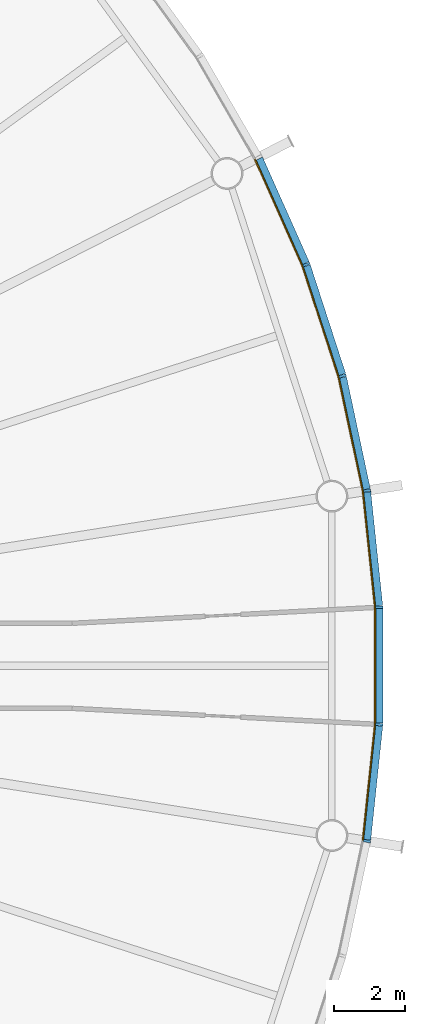
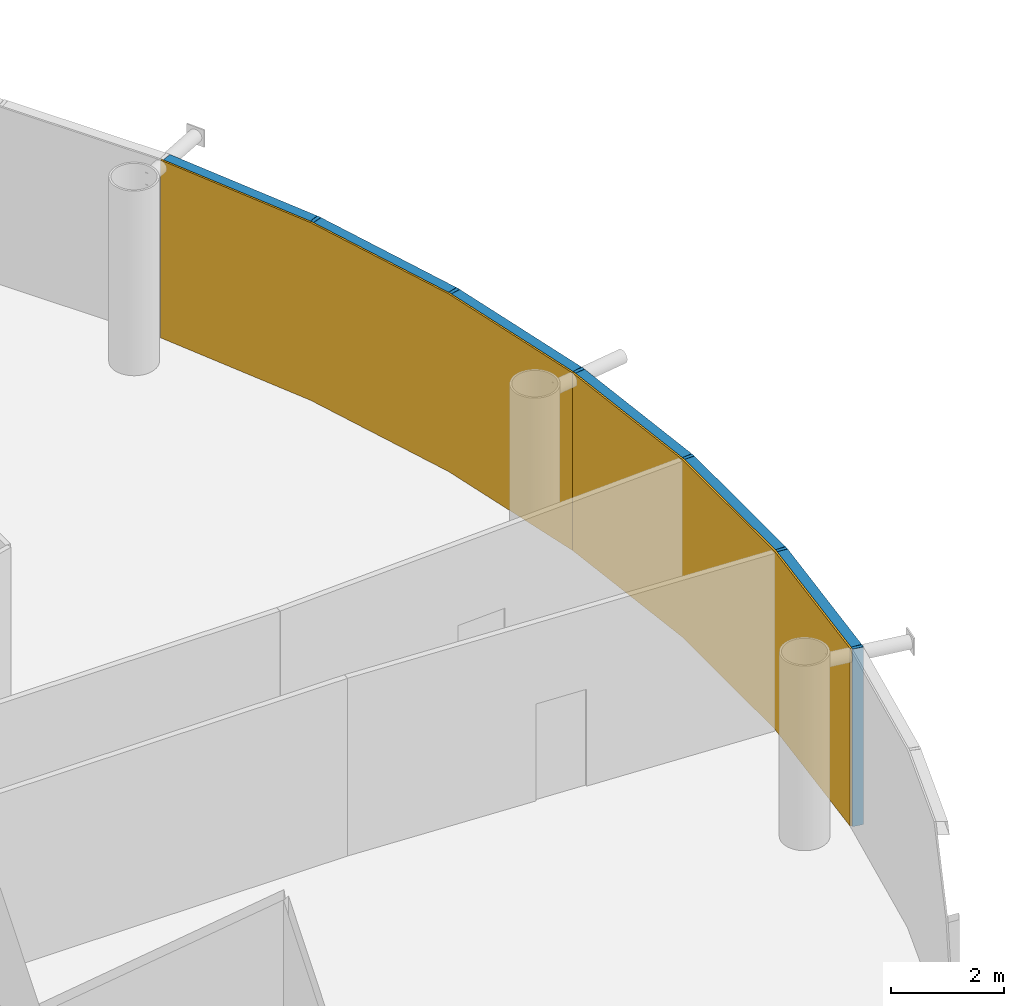
# One storey, part 16 of 18: 12 members, 2 curtain walls.
"""IFC4 building model written with IfcOpenShell, lengths in metres."""

from ifc_helpers import new_model, si_unit, direction, frame, origin, origin_2d, place, context, subcontext, project, spatial, polyline, rectangle, outline, extrude, material, layer, layer_set, material_profile, profile_set, type_object, element, aggregate, save


model = new_model("IFC4")

# Units and contexts
model_context = context("Model", 3, precision=1e-05, world=origin(), true_north=direction((0.0, 1.0)))
body_context = subcontext(model_context, "Body", "Model", "MODEL_VIEW")
ifc_project = project(units=[si_unit("LENGTHUNIT", "METRE"), si_unit("AREAUNIT", "SQUARE_METRE"), si_unit("VOLUMEUNIT", "CUBIC_METRE"), si_unit("PLANEANGLEUNIT", "RADIAN"), si_unit("MASSUNIT", "GRAM", prefix="KILO")], contexts=[model_context])

# Member
ifc_material_1 = material(Name="Anodised aluminium", Category="aluminium")
ifc_material_profile_1 = material_profile(ifc_material_1, rectangle(XDim=0.070068359375, YDim=0.205078125, at=origin_2d()), Name="Mullion 70 x 205 mm anodised aluminium")
ifc_profile_set_1 = profile_set([ifc_material_profile_1], Name="Anodised aluminium")
member_type_1 = type_object("IfcMemberType", Name="Mullion 70 x 205 mm anodised aluminium", PredefinedType="MULLION", material=ifc_profile_set_1)
site_placement = place(None, origin())
building_placement = place(site_placement, origin())
storey_placement = place(building_placement, frame((0.0, 0.0, 352.0)))
member_1_placement = place(storey_placement, frame((121.21337890625, 84.943603515625, 0.0), z_axis=(0.0, 0.0, 1.0), x_axis=(-0.15643446504, 0.987688340595, 0.0)))
member_1 = element("IfcMember", 1, at=member_1_placement, type_object=member_type_1, Name="MULLION L81-00", PredefinedType="MULLION", context=body_context, shape_type="SweptSolid", body=[
    extrude(rectangle(XDim=0.070068359375, YDim=0.205078125, at=origin_2d()), origin(), (0.0, 0.0, 1.0), 3.85009765625),
])

member_2_placement = place(storey_placement, frame((120.525634765625, 88.179443359375, 0.0), z_axis=(0.0, 0.0, 1.0), x_axis=(-0.258819045103, 0.965925826289, 0.0)))
member_2 = element("IfcMember", 2, at=member_2_placement, type_object=member_type_1, Name="MULLION L81-01", PredefinedType="MULLION", context=body_context, shape_type="SweptSolid", body=[
    extrude(rectangle(XDim=0.070068359375, YDim=0.205078125, at=origin_2d()), origin(), (0.0, 0.0, 1.0), 3.85009765625),
])

member_3_placement = place(storey_placement, frame((119.50341796875, 91.325439453125, 0.0), z_axis=(0.0, 0.0, 1.0), x_axis=(-0.358367949545, 0.933580426497, 0.0)))
member_3 = element("IfcMember", 3, at=member_3_placement, type_object=member_type_1, Name="MULLION L81-02", PredefinedType="MULLION", context=body_context, shape_type="SweptSolid", body=[
    extrude(rectangle(XDim=0.070068359375, YDim=0.205078125, at=origin_2d()), origin(), (0.0, 0.0, 1.0), 3.85009765625),
])

member_4_placement = place(storey_placement, frame((121.21337890625, 75.056396484375, 0.0), z_axis=(0.0, 0.0, 1.0), x_axis=(0.15643446504, 0.987688340595, 0.0)))
member_4 = element("IfcMember", 4, at=member_4_placement, type_object=member_type_1, Name="MULLION L81-57", PredefinedType="MULLION", context=body_context, shape_type="SweptSolid", body=[
    extrude(rectangle(XDim=0.070068359375, YDim=0.205078125, at=origin_2d()), origin(), (0.0, 0.0, 1.0), 3.85009765625),
])

member_5_placement = place(storey_placement, frame((121.55908203125, 78.345947265625, 0.0), z_axis=(0.0, 0.0, 1.0), x_axis=(0.052335956243, 0.998629534755, 0.0)))
member_5 = element("IfcMember", 5, at=member_5_placement, type_object=member_type_1, Name="MULLION L81-58", PredefinedType="MULLION", context=body_context, shape_type="SweptSolid", body=[
    extrude(rectangle(XDim=0.070068359375, YDim=0.205078125, at=origin_2d()), origin(), (0.0, 0.0, 1.0), 3.85009765625),
])

member_6_placement = place(storey_placement, frame((121.55908203125, 81.654052734375, 0.0), z_axis=(0.0, 0.0, 1.0), x_axis=(-0.052335956243, 0.998629534755, 0.0)))
member_6 = element("IfcMember", 6, at=member_6_placement, type_object=member_type_1, Name="MULLION L81-59", PredefinedType="MULLION", context=body_context, shape_type="SweptSolid", body=[
    extrude(rectangle(XDim=0.070068359375, YDim=0.205078125, at=origin_2d()), origin(), (0.0, 0.0, 1.0), 3.85009765625),
])

ifc_material_2 = material(Name="Anodised aluminium", Category="aluminium")
ifc_material_profile_2 = material_profile(ifc_material_2, rectangle(XDim=0.205078125, YDim=0.195068359375, at=origin_2d()), Name="Transom 195 x 205 mm anodised aluminium")
ifc_profile_set_2 = profile_set([ifc_material_profile_2], Name="Anodised aluminium")
member_type_2 = type_object("IfcMemberType", Name="Transom 195 x 205 mm anodised aluminium", PredefinedType="USERDEFINED", material=ifc_profile_set_2)
member_7_placement = place(storey_placement, frame((121.205078125, 84.983154296875, 3.75244140625), z_axis=(-0.207885898771, 0.978153082647, 0.0), x_axis=(-0.978153082647, -0.207885898771, 0.0)))
member_7 = element("IfcMember", 7, at=member_7_placement, type_object=member_type_2, Name="TRANSOM L81-00", ObjectType="TRANSOM", PredefinedType="USERDEFINED", context=body_context, shape_type="SweptSolid", body=[
    extrude(rectangle(XDim=0.205078125, YDim=0.195068359375, at=origin_2d()), origin(), (0.0, 0.0, 1.0), 3.227294921875),
])

member_8_placement = place(storey_placement, frame((120.513427734375, 88.2177734375, 3.75244140625), z_axis=(-0.309046726844, 0.951046855117, 0.0), x_axis=(-0.951046855117, -0.309046726844, 0.0)))
member_8 = element("IfcMember", 8, at=member_8_placement, type_object=member_type_2, Name="TRANSOM L81-01", ObjectType="TRANSOM", PredefinedType="USERDEFINED", context=body_context, shape_type="SweptSolid", body=[
    extrude(rectangle(XDim=0.205078125, YDim=0.195068359375, at=origin_2d()), origin(), (0.0, 0.0, 1.0), 3.22705078125),
])

member_9_placement = place(storey_placement, frame((119.4873046875, 91.3623046875, 3.75244140625), z_axis=(-0.406791170024, 0.913521178731, 0.0), x_axis=(-0.913521178731, -0.406791170024, 0.0)))
member_9 = element("IfcMember", 9, at=member_9_placement, type_object=member_type_2, Name="TRANSOM L81-02", ObjectType="TRANSOM", PredefinedType="USERDEFINED", context=body_context, shape_type="SweptSolid", body=[
    extrude(rectangle(XDim=0.205078125, YDim=0.195068359375, at=origin_2d()), origin(), (0.0, 0.0, 1.0), 3.22705078125),
])

member_10_placement = place(storey_placement, frame((121.2177734375, 75.096435546875, 3.75244140625), z_axis=(0.104550890115, 0.994519537956, 0.0), x_axis=(-0.994519537956, 0.104550890115, 0.0)))
member_10 = element("IfcMember", 10, at=member_10_placement, type_object=member_type_2, Name="TRANSOM L81-57", ObjectType="TRANSOM", PredefinedType="USERDEFINED", context=body_context, shape_type="SweptSolid", body=[
    extrude(rectangle(XDim=0.205078125, YDim=0.195068359375, at=origin_2d()), origin(), (0.0, 0.0, 1.0), 3.22705078125),
])

member_11_placement = place(storey_placement, frame((121.559326171875, 78.386474609375, 3.75244140625), z_axis=(0.0, 1.0, 0.0), x_axis=(-1.0, 0.0, 0.0)))
member_11 = element("IfcMember", 11, at=member_11_placement, type_object=member_type_2, Name="TRANSOM L81-58", ObjectType="TRANSOM", PredefinedType="USERDEFINED", context=body_context, shape_type="SweptSolid", body=[
    extrude(rectangle(XDim=0.205078125, YDim=0.195068359375, at=origin_2d()), origin(), (0.0, 0.0, 1.0), 3.22705078125),
])

member_12_placement = place(storey_placement, frame((121.55517578125, 81.694091796875, 3.75244140625), z_axis=(-0.104550890115, 0.994519537956, 0.0), x_axis=(-0.994519537956, -0.104550890115, 0.0)))
member_12 = element("IfcMember", 12, at=member_12_placement, type_object=member_type_2, Name="TRANSOM L81-59", ObjectType="TRANSOM", PredefinedType="USERDEFINED", context=body_context, shape_type="SweptSolid", body=[
    extrude(rectangle(XDim=0.205078125, YDim=0.195068359375, at=origin_2d()), origin(), (0.0, 0.0, 1.0), 3.22705078125),
])

# Site, building, storey
site = spatial("IfcSite", under=ifc_project, at=site_placement, CompositionType="ELEMENT")
building = spatial("IfcBuilding", under=site, at=building_placement, Name="Entoto Ring Tower", CompositionType="ELEMENT")
storey = spatial("IfcBuildingStorey", under=building, at=storey_placement, Name="L81", CompositionType="ELEMENT", Elevation=352.0)

# Curtain wall
ifc_material_3 = material(Name="Clear low-iron glass", Category="glass")
ifc_layer = layer(ifc_material_3, 0.035888671875)
ifc_layer_set = layer_set([ifc_layer], Name="Clear low-iron glass")
curtain_wall_type = type_object("IfcCurtainWallType", Name="Curtain wall system CW6 glazing 36 mm", PredefinedType="NOTDEFINED", material=ifc_layer_set)
curtain_wall_1_placement = place(storey_placement, origin())
curtain_wall_1 = element("IfcCurtainWall", 13, at=curtain_wall_1_placement, inside=storey, type_object=curtain_wall_type, Name="CW6 L81-01", PredefinedType="NOTDEFINED", context=body_context, shape_type="SweptSolid", body=[
    extrude(outline(polyline([(121.1123046875, 84.927734375), (120.4267578125, 88.15283203125), (119.40771484375, 91.28857421875), (118.066650390625, 94.30078125), (118.03466796875, 94.284423828125), (119.3740234375, 91.275634765625), (120.391845703125, 88.1435546875), (121.07666015625, 84.922119140625), (121.1123046875, 84.927734375)])), origin(), (0.0, 0.0, 1.0), 3.85009765625),
])

aggregate(curtain_wall_1, [member_1, member_2, member_3, member_7, member_8, member_9])

curtain_wall_2_placement = place(storey_placement, origin())
curtain_wall_2 = element("IfcCurtainWall", 14, at=curtain_wall_2_placement, inside=storey, type_object=curtain_wall_type, Name="CW6 L81-20", PredefinedType="NOTDEFINED", context=body_context, shape_type="SweptSolid", body=[
    extrude(outline(polyline([(121.1123046875, 75.072265625), (121.456787109375, 78.351318359375), (121.456787109375, 81.648681640625), (121.1123046875, 84.927734375), (121.07666015625, 84.922119140625), (121.4208984375, 81.646728515625), (121.4208984375, 78.353271484375), (121.07666015625, 75.077880859375), (121.1123046875, 75.072265625)])), origin(), (0.0, 0.0, 1.0), 3.85009765625),
])

aggregate(curtain_wall_2, [member_4, member_5, member_6, member_10, member_11, member_12])

save(model, "model.ifc")
